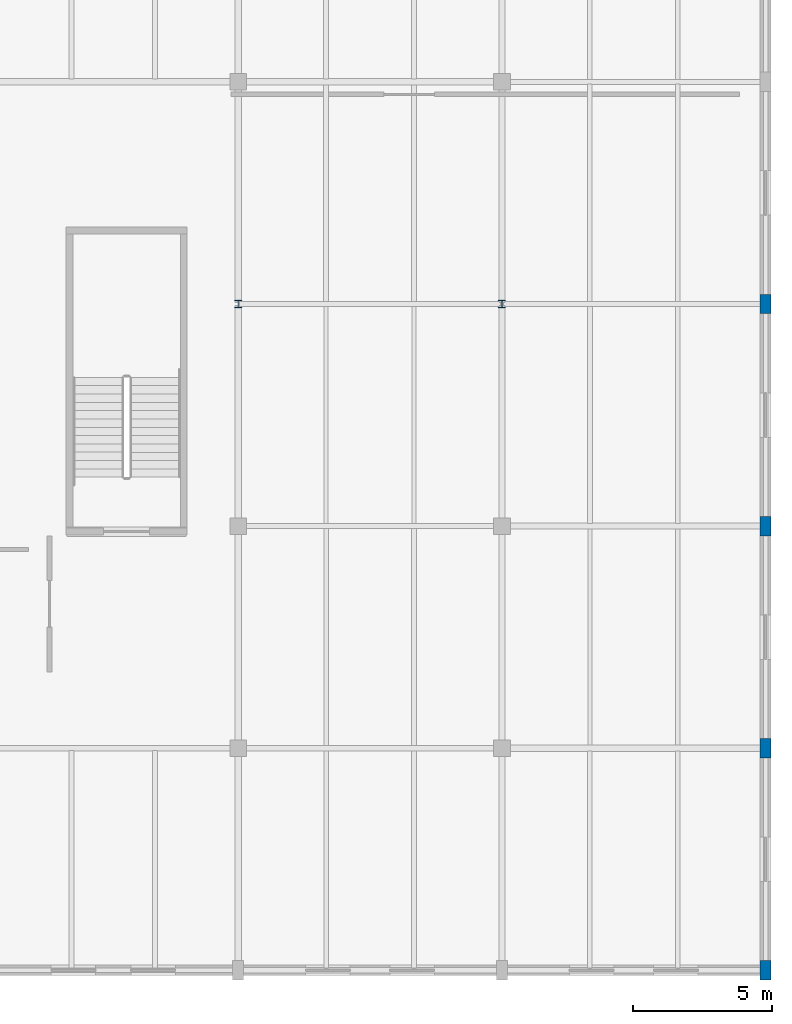
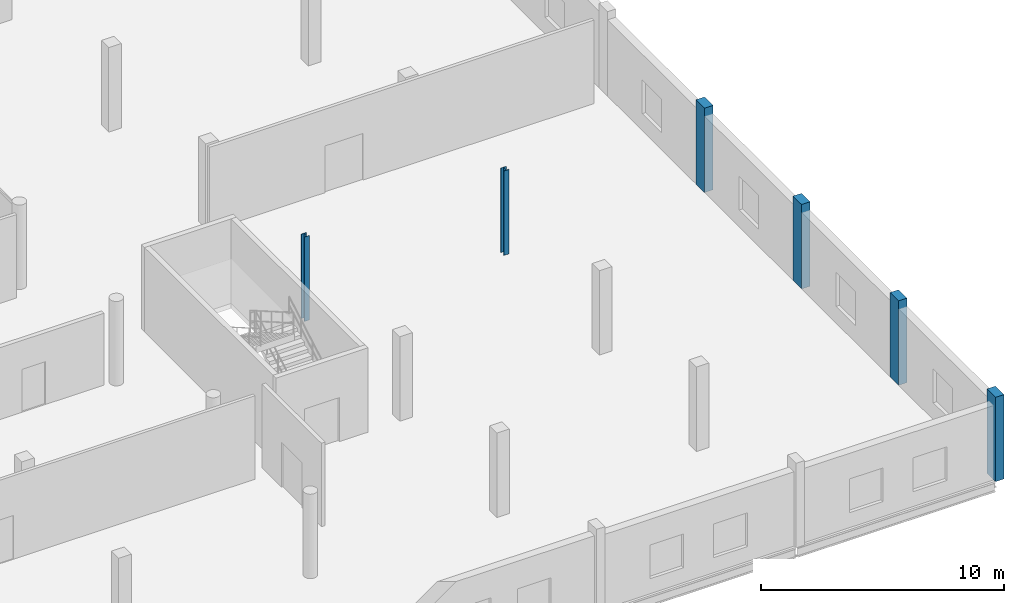
# One storey, part 12 of 73: 6 columns.
"""IFC4 building model written with IfcOpenShell, lengths in metres."""

from ifc_helpers import new_model, si_unit, direction, frame, origin, origin_2d, place, context, subcontext, project, spatial, rectangle, i_section, extrude, material, material_profile, profile_set, type_object, element, save


model = new_model("IFC4")

# Units and contexts
model_context = context("Model", 3, precision=1e-05, world=origin(), true_north=direction((0.0, 1.0)))
body_context = subcontext(model_context, "Body", "Model", "MODEL_VIEW")
ifc_project = project(units=[si_unit("LENGTHUNIT", "METRE"), si_unit("AREAUNIT", "SQUARE_METRE"), si_unit("VOLUMEUNIT", "CUBIC_METRE"), si_unit("PLANEANGLEUNIT", "RADIAN"), si_unit("MASSUNIT", "GRAM", prefix="KILO")], contexts=[model_context])

# Site, building, storey
site_placement = place(None, origin())
site = spatial("IfcSite", under=ifc_project, at=site_placement, CompositionType="ELEMENT")
building_placement = place(site_placement, origin())
building = spatial("IfcBuilding", under=site, at=building_placement, Name="Marnock Terrace Opera House", CompositionType="ELEMENT")
storey_placement = place(building_placement, frame((0.0, 0.0, 14.699951171875)))
storey = spatial("IfcBuildingStorey", under=building, at=storey_placement, Name="L03", CompositionType="ELEMENT", Elevation=14.699951171875)

# Columns
ifc_material_1 = material(Name="Concrete N40 (f'c = 40 MPa)", Category="concrete")
ifc_material_profile_1 = material_profile(ifc_material_1, rectangle(XDim=0.39990234375, YDim=0.699951171875, at=origin_2d()))
ifc_profile_set_1 = profile_set([ifc_material_profile_1], Name="Concrete N40 (f'c = 40 MPa)")
column_type_1 = type_object("IfcColumnType", Name="COL-PIL-700", PredefinedType="PILASTER", material=ifc_profile_set_1)
for number, where, z_axis, x_axis, name in (
    (1, (164.0, 8.0, 0.0), (0.0, 0.0, 1.0), (1.0, 0.0, 0.0), "L03 column at (164.0, 8.0)"),
    (2, (164.0, 16.0, 0.0), (0.0, 0.0, 1.0), (1.0, 0.0, 0.0), "L03 column at (164.0, 16.0)"),
    (3, (164.0, 24.0, 0.0), (0.0, 0.0, 1.0), (1.0, 0.0, 0.0), "L03 column at (164.0, 24.0)"),
    (4, (164.0, 32.0, 0.0), (0.0, 0.0, 1.0), (1.0, 0.0, 0.0), "L03 column at (164.0, 32.0)"),
):
    element("IfcColumn", number, at=place(storey_placement, frame(where, z_axis=z_axis, x_axis=x_axis)), inside=storey, type_object=column_type_1, Name=name, PredefinedType="PILASTER", context=body_context, shape_type="SweptSolid", body=[
        extrude(rectangle(XDim=0.39990234375, YDim=0.699951171875, at=origin_2d()), origin(), (0.0, 0.0, 1.0), 4.25),
    ])
ifc_material_2 = material(Name="Steel Grade 350 (AS/NZS 3679.1)", Category="steel")
ifc_material_profile_2 = material_profile(ifc_material_2, i_section(OverallWidth=0.256103515625, OverallDepth=0.260009765625, WebThickness=0.010498046875, FlangeThickness=0.017333984375, FilletRadius=0.013916015625, at=origin_2d()))
ifc_profile_set_2 = profile_set([ifc_material_profile_2], Name="Steel Grade 350 (AS/NZS 3679.1)")
column_type_2 = type_object("IfcColumnType", Name="COL-UC250", PredefinedType="COLUMN", material=ifc_profile_set_2)
for number, where, z_axis, x_axis, name in (
    (5, (145.0, 32.0, 0.0), (0.0, 0.0, 1.0), (1.0, 0.0, 0.0), "L03 column at (145.0, 32.0)"),
    (6, (154.5, 32.0, 0.0), (0.0, 0.0, 1.0), (1.0, 0.0, 0.0), "L03 column at (154.5, 32.0)"),
):
    element("IfcColumn", number, at=place(storey_placement, frame(where, z_axis=z_axis, x_axis=x_axis)), inside=storey, type_object=column_type_2, Name=name, PredefinedType="COLUMN", context=body_context, shape_type="SweptSolid", body=[
        extrude(i_section(OverallWidth=0.256103515625, OverallDepth=0.260009765625, WebThickness=0.010498046875, FlangeThickness=0.017333984375, FilletRadius=0.013916015625, at=origin_2d()), origin(), (0.0, 0.0, 1.0), 4.25),
    ])

save(model, "model.ifc")
